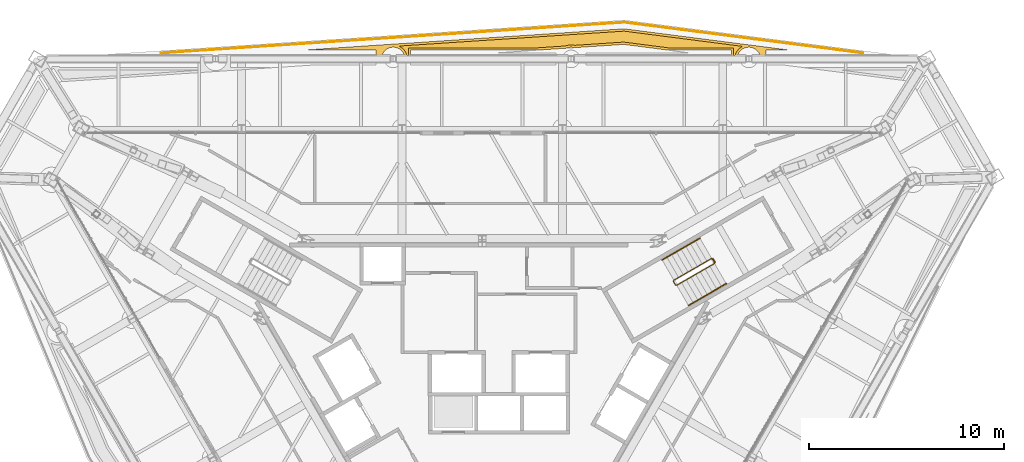
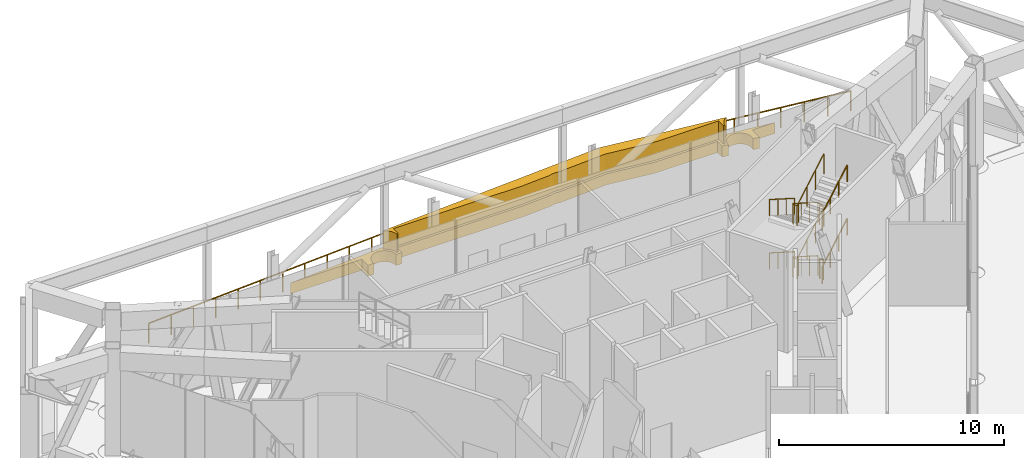
# One storey, part 23 of 25: 7 railings, 2 coverings.
"""IFC4 building model written with IfcOpenShell, lengths in metres."""

from ifc_helpers import new_model, si_unit, direction, frame, origin, origin_2d, place, context, subcontext, project, spatial, polyline, circle, outline, extrude, material, type_object, element, save


model = new_model("IFC4")

# Units and contexts
model_context = context("Model", 3, precision=1e-05, world=origin(), true_north=direction((0.0, 1.0)))
body_context = subcontext(model_context, "Body", "Model", "MODEL_VIEW")
ifc_project = project(units=[si_unit("LENGTHUNIT", "METRE"), si_unit("AREAUNIT", "SQUARE_METRE"), si_unit("VOLUMEUNIT", "CUBIC_METRE"), si_unit("PLANEANGLEUNIT", "RADIAN"), si_unit("MASSUNIT", "GRAM", prefix="KILO")], contexts=[model_context])

# Site, building, storey
site_placement = place(None, origin())
site = spatial("IfcSite", under=ifc_project, at=site_placement, CompositionType="ELEMENT")
building_placement = place(site_placement, origin())
building = spatial("IfcBuilding", under=site, at=building_placement, Name="Verrane Prism Tower", CompositionType="ELEMENT")
storey_placement = place(building_placement, frame((0.0, 0.0, 258.199951171875)))
storey = spatial("IfcBuildingStorey", under=building, at=storey_placement, Name="L65", CompositionType="ELEMENT", Elevation=258.199951171875)

# Coverings
ifc_material_1 = material(Name="Planting medium in stone kerb", Category="masonry")
covering_type_1 = type_object("IfcCoveringType", Name="Planter bed 600", PredefinedType="USERDEFINED", material=ifc_material_1)
covering_1_placement = place(storey_placement, origin())
element("IfcCovering", 1, at=covering_1_placement, inside=storey, type_object=covering_type_1, Name="Planter bed L65 5", ObjectType="PLANTER", PredefinedType="USERDEFINED", context=body_context, shape_type="SweptSolid", body=[
    extrude(outline(polyline([(-3.67236328125, 17.248779296875), (-3.67236328125, 17.679931640625), (2.82763671875, 17.679931640625), (4.32421875, 17.779296875), (4.339599609375, 17.78662109375), (4.39501953125, 17.806396484375), (4.452392578125, 17.82080078125), (4.510986328125, 17.82958984375), (4.570068359375, 17.83251953125), (4.62890625, 17.82958984375), (4.6875, 17.82080078125), (4.742431640625, 17.806884765625), (7.26904296875, 17.974609375), (9.55712890625, 17.679931640625), (12.802978515625, 17.679931640625), (12.802978515625, 17.261962890625), (13.097900390625, 17.22412109375), (13.09765625, 17.22998046875), (13.1005859375, 17.2890625), (13.109130859375, 17.347412109375), (13.12353515625, 17.40478515625), (13.1435546875, 17.46044921875), (13.168701171875, 17.513916015625), (13.19921875, 17.564697265625), (13.234375, 17.6123046875), (13.27392578125, 17.656005859375), (13.31787109375, 17.69580078125), (13.365234375, 17.73095703125), (13.416015625, 17.76123046875), (13.469482421875, 17.78662109375), (13.525146484375, 17.806396484375), (13.58251953125, 17.82080078125), (13.64111328125, 17.82958984375), (13.699951171875, 17.83251953125), (13.759033203125, 17.82958984375), (13.8173828125, 17.82080078125), (13.875, 17.806396484375), (13.930419921875, 17.78662109375), (13.98388671875, 17.76123046875), (14.03466796875, 17.73095703125), (14.082275390625, 17.69580078125), (14.1259765625, 17.656005859375), (14.165771484375, 17.6123046875), (14.200927734375, 17.564697265625), (14.231201171875, 17.513916015625), (14.256591796875, 17.46044921875), (14.276611328125, 17.40478515625), (14.290771484375, 17.347412109375), (14.299560546875, 17.2890625), (14.302490234375, 17.22998046875), (14.299560546875, 17.1708984375), (14.290771484375, 17.112548828125), (14.280517578125, 17.07177734375), (14.582275390625, 17.03271484375), (14.582275390625, 17.679931640625), (15.766845703125, 17.679931640625), (15.767333984375, 17.686767578125), (7.2939453125, 18.778076171875), (-9.131103515625, 17.688232421875), (-9.131103515625, 17.679931640625), (-5.467041015625, 17.679931640625), (-5.467041015625, 17.129638671875), (-5.166259765625, 17.149658203125), (-5.16943359375, 17.1708984375), (-5.17236328125, 17.22998046875), (-5.16943359375, 17.2890625), (-5.160888671875, 17.347412109375), (-5.146484375, 17.40478515625), (-5.12646484375, 17.46044921875), (-5.101318359375, 17.513916015625), (-5.07080078125, 17.564697265625), (-5.03564453125, 17.6123046875), (-4.99609375, 17.656005859375), (-4.9521484375, 17.69580078125), (-4.90478515625, 17.73095703125), (-4.85400390625, 17.76123046875), (-4.800537109375, 17.78662109375), (-4.744873046875, 17.806396484375), (-4.6875, 17.82080078125), (-4.62890625, 17.82958984375), (-4.570068359375, 17.83251953125), (-4.510986328125, 17.82958984375), (-4.452392578125, 17.82080078125), (-4.39501953125, 17.806396484375), (-4.339599609375, 17.78662109375), (-4.285888671875, 17.76123046875), (-4.2353515625, 17.73095703125), (-4.187744140625, 17.69580078125), (-4.14404296875, 17.656005859375), (-4.104248046875, 17.6123046875), (-4.069091796875, 17.564697265625), (-4.038818359375, 17.513916015625), (-4.013427734375, 17.46044921875), (-3.993408203125, 17.40478515625), (-3.979248046875, 17.347412109375), (-3.970458984375, 17.2890625), (-3.967529296875, 17.229248046875), (-3.67236328125, 17.248779296875)])), origin(), (0.0, 0.0, 1.0), 0.60009765625),
])
ifc_material_2 = material(Name="Planted shrubs and grasses", Category="other")
covering_type_2 = type_object("IfcCoveringType", Name="Planting mass 1000", PredefinedType="USERDEFINED", material=ifc_material_2)
covering_2_placement = place(storey_placement, frame((0.0, 0.0, 0.60009765625)))
element("IfcCovering", 2, at=covering_2_placement, inside=storey, type_object=covering_type_2, Name="Planting L65 5", ObjectType="PLANTING", PredefinedType="USERDEFINED", context=body_context, shape_type="SweptSolid", body=[
    extrude(outline(polyline([(-4.2294921875, 17.8671875), (-4.168701171875, 17.830810546875), (-4.111572265625, 17.78857421875), (-4.05908203125, 17.740966796875), (-4.011474609375, 17.6884765625), (-3.96923828125, 17.63134765625), (-3.932861328125, 17.570556640625), (-3.902587890625, 17.506591796875), (-3.878662109375, 17.439697265625), (-3.861328125, 17.37109375), (-3.859130859375, 17.356689453125), (-3.792236328125, 17.361083984375), (-3.792236328125, 17.800048828125), (2.823486328125, 17.800048828125), (4.29345703125, 17.8974609375), (4.29345703125, 17.8974609375), (4.3603515625, 17.92138671875), (4.428955078125, 17.938720703125), (4.499267578125, 17.94921875), (4.570068359375, 17.952392578125), (4.640869140625, 17.94921875), (4.7109375, 17.938720703125), (4.75341796875, 17.927978515625), (7.272705078125, 18.09521484375), (9.564697265625, 17.800048828125), (12.9228515625, 17.800048828125), (12.9228515625, 17.367431640625), (12.989501953125, 17.35888671875), (12.9912109375, 17.37109375), (13.008544921875, 17.439697265625), (13.032470703125, 17.506591796875), (13.062744140625, 17.570556640625), (13.09912109375, 17.63134765625), (13.1416015625, 17.6884765625), (13.189208984375, 17.740966796875), (13.24169921875, 17.78857421875), (13.298583984375, 17.830810546875), (13.359375, 17.8671875), (13.373779296875, 17.8740234375), (7.290283203125, 18.65771484375), (-4.277587890625, 17.89013671875), (-4.2294921875, 17.8671875)])), origin(), (0.0, 0.0, 1.0), 1.0),
])

# Railings
ifc_material_3 = material(Name="Steel A36 rail and posts, no infill", Category="steel")
railing_type_1 = type_object("IfcRailingType", Name="Stair guard 1100 steel rail and posts", PredefinedType="GUARDRAIL", material=ifc_material_3)
railing_1_placement = place(storey_placement, frame((11.78955078125, 6.97998046875, 0.1611328125)))
element("IfcRailing", 3, at=railing_1_placement, inside=storey, type_object=railing_type_1, Name="Stair 1 guard", PredefinedType="GUARDRAIL", context=body_context, shape_type="SweptSolid", body=[
    extrude(circle(Radius=0.02392578125, at=origin_2d()), frame((0.0, 0.0, 1.076171875), z_axis=(-0.750637111348, -0.433415940959, 0.498692840524), x_axis=(0.500030632641, -0.866007717299, 0.0)), (0.0, 0.0, 1.0), 2.58447265625),
    extrude(circle(Radius=0.02392578125, at=origin_2d()), frame((-1.93994140625, -1.1201171875, 2.36474609375), z_axis=(-0.258736085224, -0.965948051503, 0.0), x_axis=(0.965948051503, -0.258736085224, 0.0)), (0.0, 0.0, 1.0), 0.07080078125),
    extrude(circle(Radius=0.02392578125, at=origin_2d()), frame((-1.958251953125, -1.1884765625, 2.36474609375), z_axis=(0.500603037456, -0.865676959893, 0.0), x_axis=(0.865676959893, 0.500603037456, 0.0)), (0.0, 0.0, 1.0), 0.199951171875),
    extrude(circle(Radius=0.02392578125, at=origin_2d()), frame((-1.858154296875, -1.361572265625, 2.36474609375), z_axis=(0.388430221592, -0.104043809355, 0.915585522324), x_axis=(0.258736085224, 0.965948051503, 0.0)), (0.0, 0.0, 1.0), 0.176025390625),
    extrude(circle(Radius=0.02392578125, at=origin_2d()), frame((-1.789794921875, -1.3798828125, 2.52587890625), z_axis=(0.750560501279, 0.433426252973, 0.498799175173), x_axis=(-0.500077830873, 0.865980463445, 0.0)), (0.0, 0.0, 1.0), 2.584228515625),
    extrude(circle(Radius=0.02392578125, at=origin_2d()), frame((0.14990234375, -0.259765625, 3.81494140625), z_axis=(-0.3199613899, 0.947430582667, 0.0), x_axis=(-0.947430582667, -0.3199613899, 0.0)), (0.0, 0.0, 1.0), 0.2548828125),
    extrude(circle(Radius=0.02392578125, at=origin_2d()), frame((0.068359375, -0.018310546875, 3.81494140625), z_axis=(0.499158860599, -0.866510491504, 0.0), x_axis=(0.866510491504, 0.499158860599, 0.0)), (0.0, 0.0, 1.0), 0.199951171875),
    extrude(circle(Radius=0.02392578125, at=origin_2d()), frame((0.168212890625, -0.191650390625, 3.81494140625), z_axis=(-0.557653296868, 0.635352449988, 0.534181677697), x_axis=(-0.751567565678, -0.659656118156, 0.0)), (0.0, 0.0, 1.0), 0.3017578125),
    extrude(circle(Radius=0.02392578125, at=origin_2d()), frame((0.0, 0.0, 3.97607421875), z_axis=(-0.750637111348, -0.433415940959, 0.498692840524), x_axis=(0.500030632641, -0.866007717299, 0.0)), (0.0, 0.0, 1.0), 2.58447265625),
    extrude(circle(Radius=0.02392578125, at=origin_2d()), frame((-1.93994140625, -1.1201171875, 5.26513671875), z_axis=(-0.258736085224, -0.965948051503, 0.0), x_axis=(0.965948051503, -0.258736085224, 0.0)), (0.0, 0.0, 1.0), 0.07080078125),
    extrude(circle(Radius=0.02392578125, at=origin_2d()), frame((-1.958251953125, -1.1884765625, 5.26513671875), z_axis=(0.500603037456, -0.865676959893, 0.0), x_axis=(0.865676959893, 0.500603037456, 0.0)), (0.0, 0.0, 1.0), 0.199951171875),
    extrude(circle(Radius=0.02392578125, at=origin_2d()), frame((-1.858154296875, -1.361572265625, 5.26513671875), z_axis=(0.388430221592, -0.104043809355, 0.915585522324), x_axis=(0.258736085224, 0.965948051503, 0.0)), (0.0, 0.0, 1.0), 0.176025390625),
    extrude(circle(Radius=0.02392578125, at=origin_2d()), frame((-1.789794921875, -1.3798828125, 5.42626953125), z_axis=(0.750595867838, 0.433446676103, 0.498728204697), x_axis=(-0.500077830873, 0.865980463445, 0.0)), (0.0, 0.0, 1.0), 2.584228515625),
    extrude(circle(Radius=0.02099609375, at=origin_2d()), origin(), (0.0, 0.0, 1.0), 1.052001953125),
    extrude(circle(Radius=0.02099609375, at=origin_2d()), frame((-0.646728515625, -0.373291015625, 0.4296875)), (0.0, 0.0, 1.0), 1.052001953125),
    extrude(circle(Radius=0.02099609375, at=origin_2d()), frame((-1.293212890625, -0.746826171875, 0.859130859375)), (0.0, 0.0, 1.0), 1.052001953125),
    extrude(circle(Radius=0.02099609375, at=origin_2d()), frame((-1.93994140625, -1.1201171875, 1.288818359375)), (0.0, 0.0, 1.0), 1.052001953125),
    extrude(circle(Radius=0.02099609375, at=origin_2d()), frame((-1.958251953125, -1.1884765625, 1.288818359375)), (0.0, 0.0, 1.0), 1.052001953125),
    extrude(circle(Radius=0.02099609375, at=origin_2d()), frame((-1.858154296875, -1.361572265625, 1.288818359375)), (0.0, 0.0, 1.0), 1.052001953125),
    extrude(circle(Radius=0.02099609375, at=origin_2d()), frame((-1.789794921875, -1.3798828125, 1.449951171875)), (0.0, 0.0, 1.0), 1.052001953125),
    extrude(circle(Radius=0.02099609375, at=origin_2d()), frame((-1.143310546875, -1.006591796875, 1.879638671875)), (0.0, 0.0, 1.0), 1.052001953125),
    extrude(circle(Radius=0.02099609375, at=origin_2d()), frame((-0.49658203125, -0.633056640625, 2.309326171875)), (0.0, 0.0, 1.0), 1.052001953125),
    extrude(circle(Radius=0.02099609375, at=origin_2d()), frame((0.14990234375, -0.259765625, 2.739013671875)), (0.0, 0.0, 1.0), 1.052001953125),
    extrude(circle(Radius=0.02099609375, at=origin_2d()), frame((0.068359375, -0.018310546875, 2.739013671875)), (0.0, 0.0, 1.0), 1.052001953125),
    extrude(circle(Radius=0.02099609375, at=origin_2d()), frame((0.168212890625, -0.191650390625, 2.739013671875)), (0.0, 0.0, 1.0), 1.052001953125),
    extrude(circle(Radius=0.02099609375, at=origin_2d()), frame((0.0, 0.0, 2.900146484375)), (0.0, 0.0, 1.0), 1.052001953125),
    extrude(circle(Radius=0.02099609375, at=origin_2d()), frame((-0.646728515625, -0.373291015625, 3.329833984375)), (0.0, 0.0, 1.0), 1.052001953125),
    extrude(circle(Radius=0.02099609375, at=origin_2d()), frame((-1.293212890625, -0.746826171875, 3.75927734375)), (0.0, 0.0, 1.0), 1.052001953125),
    extrude(circle(Radius=0.02099609375, at=origin_2d()), frame((-1.93994140625, -1.1201171875, 4.18896484375)), (0.0, 0.0, 1.0), 1.052001953125),
    extrude(circle(Radius=0.02099609375, at=origin_2d()), frame((-1.958251953125, -1.1884765625, 4.18896484375)), (0.0, 0.0, 1.0), 1.052001953125),
    extrude(circle(Radius=0.02099609375, at=origin_2d()), frame((-1.858154296875, -1.361572265625, 4.18896484375)), (0.0, 0.0, 1.0), 1.052001953125),
    extrude(circle(Radius=0.02099609375, at=origin_2d()), frame((-1.789794921875, -1.3798828125, 4.35009765625)), (0.0, 0.0, 1.0), 1.052001953125),
    extrude(circle(Radius=0.02099609375, at=origin_2d()), frame((-1.143310546875, -1.006591796875, 4.77978515625)), (0.0, 0.0, 1.0), 1.052001953125),
    extrude(circle(Radius=0.02099609375, at=origin_2d()), frame((-0.49658203125, -0.633056640625, 5.209228515625)), (0.0, 0.0, 1.0), 1.052001953125),
    extrude(circle(Radius=0.02099609375, at=origin_2d()), frame((0.14990234375, -0.259765625, 5.638916015625)), (0.0, 0.0, 1.0), 1.052001953125),
])
railing_2_placement = place(storey_placement, frame((11.85791015625, 6.961669921875, 0.0)))
element("IfcRailing", 4, at=railing_2_placement, inside=storey, type_object=railing_type_1, Name="Stair 1 guard", PredefinedType="GUARDRAIL", context=body_context, shape_type="SweptSolid", body=[
    extrude(circle(Radius=0.02392578125, at=origin_2d()), frame((0.0, 0.0, 1.076171875), z_axis=(0.499158860599, -0.866510491504, 0.0), x_axis=(0.866510491504, 0.499158860599, 0.0)), (0.0, 0.0, 1.0), 0.199951171875),
    extrude(circle(Radius=0.02099609375, at=origin_2d()), origin(), (0.0, 0.0, 1.0), 1.052001953125),
    extrude(circle(Radius=0.02099609375, at=origin_2d()), frame((0.099853515625, -0.17333984375, 0.0)), (0.0, 0.0, 1.0), 1.052001953125),
])
ifc_material_4 = material(Name="Steel A36 tube", Category="steel")
railing_type_2 = type_object("IfcRailingType", Name="Stair handrail 900 steel tube", PredefinedType="HANDRAIL", material=ifc_material_4)
railing_3_placement = place(storey_placement, frame((11.189453125, 8.01904296875, 0.1611328125)))
element("IfcRailing", 5, at=railing_3_placement, inside=storey, type_object=railing_type_2, Name="Stair 1 handrail", PredefinedType="HANDRAIL", context=body_context, shape_type="SweptSolid", body=[
    extrude(circle(Radius=0.02392578125, at=origin_2d()), frame((0.0, 0.0, 0.8759765625), z_axis=(-0.750626602855, -0.433369946796, 0.498748626365), x_axis=(0.49999608499, -0.866027664105, 0.0)), (0.0, 0.0, 1.0), 2.583984375),
    extrude(circle(Radius=0.02099609375, at=origin_2d()), origin(), (0.0, 0.0, 1.0), 0.851806640625),
    extrude(circle(Radius=0.02099609375, at=origin_2d()), frame((-0.646484375, -0.373291015625, 0.4296875)), (0.0, 0.0, 1.0), 0.851806640625),
    extrude(circle(Radius=0.02099609375, at=origin_2d()), frame((-1.293212890625, -0.74658203125, 0.859130859375)), (0.0, 0.0, 1.0), 0.851806640625),
    extrude(circle(Radius=0.02099609375, at=origin_2d()), frame((-1.939697265625, -1.119873046875, 1.288818359375)), (0.0, 0.0, 1.0), 0.851806640625),
])
railing_4_placement = place(storey_placement, frame((10.599609375, 4.560791015625, 1.611083984375)))
element("IfcRailing", 6, at=railing_4_placement, inside=storey, type_object=railing_type_2, Name="Stair 1 handrail", PredefinedType="HANDRAIL", context=body_context, shape_type="SweptSolid", body=[
    extrude(circle(Radius=0.02392578125, at=origin_2d()), frame((0.0, 0.0, 0.8759765625), z_axis=(0.750601747861, 0.433395522173, 0.498763809301), x_axis=(-0.500030632641, 0.866007717299, 0.0)), (0.0, 0.0, 1.0), 2.58447265625),
    extrude(circle(Radius=0.02099609375, at=origin_2d()), origin(), (0.0, 0.0, 1.0), 0.851806640625),
    extrude(circle(Radius=0.02099609375, at=origin_2d()), frame((0.646728515625, 0.373291015625, 0.4296875)), (0.0, 0.0, 1.0), 0.851806640625),
    extrude(circle(Radius=0.02099609375, at=origin_2d()), frame((1.293212890625, 0.746826171875, 0.859375)), (0.0, 0.0, 1.0), 0.851806640625),
    extrude(circle(Radius=0.02099609375, at=origin_2d()), frame((1.93994140625, 1.1201171875, 1.2890625)), (0.0, 0.0, 1.0), 0.851806640625),
])
railing_5_placement = place(storey_placement, frame((11.189453125, 8.01904296875, 3.061279296875)))
element("IfcRailing", 7, at=railing_5_placement, inside=storey, type_object=railing_type_2, Name="Stair 1 handrail", PredefinedType="HANDRAIL", context=body_context, shape_type="SweptSolid", body=[
    extrude(circle(Radius=0.02392578125, at=origin_2d()), frame((0.0, 0.0, 0.8759765625), z_axis=(-0.750626602855, -0.433369946796, 0.498748626365), x_axis=(0.49999608499, -0.866027664105, 0.0)), (0.0, 0.0, 1.0), 2.583984375),
    extrude(circle(Radius=0.02099609375, at=origin_2d()), origin(), (0.0, 0.0, 1.0), 0.851806640625),
    extrude(circle(Radius=0.02099609375, at=origin_2d()), frame((-0.646484375, -0.373291015625, 0.4296875)), (0.0, 0.0, 1.0), 0.851806640625),
    extrude(circle(Radius=0.02099609375, at=origin_2d()), frame((-1.293212890625, -0.74658203125, 0.859130859375)), (0.0, 0.0, 1.0), 0.851806640625),
    extrude(circle(Radius=0.02099609375, at=origin_2d()), frame((-1.939697265625, -1.119873046875, 1.288818359375)), (0.0, 0.0, 1.0), 0.851806640625),
])
railing_6_placement = place(storey_placement, frame((10.599609375, 4.560791015625, 4.51123046875)))
element("IfcRailing", 8, at=railing_6_placement, inside=storey, type_object=railing_type_2, Name="Stair 1 handrail", PredefinedType="HANDRAIL", context=body_context, shape_type="SweptSolid", body=[
    extrude(circle(Radius=0.02392578125, at=origin_2d()), frame((0.0, 0.0, 0.8759765625), z_axis=(0.750637111348, 0.433415940959, 0.498692840524), x_axis=(-0.500030632641, 0.866007717299, 0.0)), (0.0, 0.0, 1.0), 2.58447265625),
    extrude(circle(Radius=0.02099609375, at=origin_2d()), origin(), (0.0, 0.0, 1.0), 0.851806640625),
    extrude(circle(Radius=0.02099609375, at=origin_2d()), frame((0.646728515625, 0.373291015625, 0.4296875)), (0.0, 0.0, 1.0), 0.851806640625),
    extrude(circle(Radius=0.02099609375, at=origin_2d()), frame((1.293212890625, 0.746826171875, 0.859130859375)), (0.0, 0.0, 1.0), 0.851806640625),
    extrude(circle(Radius=0.02099609375, at=origin_2d()), frame((1.93994140625, 1.1201171875, 1.288818359375)), (0.0, 0.0, 1.0), 0.851806640625),
])
ifc_material_5 = material(Name="Stainless steel and laminated glass", Category="steel")
railing_type_3 = type_object("IfcRailingType", Name="Terrace guard 1100", PredefinedType="GUARDRAIL", material=ifc_material_5)
railing_7_placement = place(storey_placement, frame((19.568359375, 17.530029296875, 0.0)))
element("IfcRailing", 9, at=railing_7_placement, inside=storey, type_object=railing_type_3, Name="Terrace guard L65 1", PredefinedType="GUARDRAIL", context=body_context, shape_type="SweptSolid", body=[
    extrude(circle(Radius=0.02392578125, at=origin_2d()), frame((0.0, 0.0, 1.076171875), z_axis=(-0.991807425439, 0.127742048067, 0.0), x_axis=(-0.127742048067, -0.991807425439, 0.0)), (0.0, 0.0, 1.0), 12.365478515625),
    extrude(circle(Radius=0.02392578125, at=origin_2d()), frame((-12.26416015625, 1.57958984375, 1.076171875), z_axis=(-0.997806071441, -0.066204560235, 0.0), x_axis=(0.066204560235, -0.997806071441, 0.0)), (0.0, 0.0, 1.0), 23.859130859375),
    extrude(circle(Radius=0.02099609375, at=origin_2d()), origin(), (0.0, 0.0, 1.0), 1.052001953125),
    extrude(circle(Radius=0.02099609375, at=origin_2d()), frame((-1.114990234375, 0.1435546875, 0.0)), (0.0, 0.0, 1.0), 1.052001953125),
    extrude(circle(Radius=0.02099609375, at=origin_2d()), frame((-2.229736328125, 0.287109375, 0.0)), (0.0, 0.0, 1.0), 1.052001953125),
    extrude(circle(Radius=0.02099609375, at=origin_2d()), frame((-3.3447265625, 0.430908203125, 0.0)), (0.0, 0.0, 1.0), 1.052001953125),
    extrude(circle(Radius=0.02099609375, at=origin_2d()), frame((-4.459716796875, 0.574462890625, 0.0)), (0.0, 0.0, 1.0), 1.052001953125),
    extrude(circle(Radius=0.02099609375, at=origin_2d()), frame((-5.57470703125, 0.718017578125, 0.0)), (0.0, 0.0, 1.0), 1.052001953125),
    extrude(circle(Radius=0.02099609375, at=origin_2d()), frame((-6.689453125, 0.861572265625, 0.0)), (0.0, 0.0, 1.0), 1.052001953125),
    extrude(circle(Radius=0.02099609375, at=origin_2d()), frame((-7.804443359375, 1.005126953125, 0.0)), (0.0, 0.0, 1.0), 1.052001953125),
    extrude(circle(Radius=0.02099609375, at=origin_2d()), frame((-8.91943359375, 1.148681640625, 0.0)), (0.0, 0.0, 1.0), 1.052001953125),
    extrude(circle(Radius=0.02099609375, at=origin_2d()), frame((-10.034423828125, 1.29248046875, 0.0)), (0.0, 0.0, 1.0), 1.052001953125),
    extrude(circle(Radius=0.02099609375, at=origin_2d()), frame((-11.149169921875, 1.43603515625, 0.0)), (0.0, 0.0, 1.0), 1.052001953125),
    extrude(circle(Radius=0.02099609375, at=origin_2d()), frame((-12.26416015625, 1.57958984375, 0.0)), (0.0, 0.0, 1.0), 1.052001953125),
    extrude(circle(Radius=0.02099609375, at=origin_2d()), frame((-13.45458984375, 1.50048828125, 0.0)), (0.0, 0.0, 1.0), 1.052001953125),
    extrude(circle(Radius=0.02099609375, at=origin_2d()), frame((-14.644775390625, 1.421630859375, 0.0)), (0.0, 0.0, 1.0), 1.052001953125),
    extrude(circle(Radius=0.02099609375, at=origin_2d()), frame((-15.835205078125, 1.3427734375, 0.0)), (0.0, 0.0, 1.0), 1.052001953125),
    extrude(circle(Radius=0.02099609375, at=origin_2d()), frame((-17.025634765625, 1.263671875, 0.0)), (0.0, 0.0, 1.0), 1.052001953125),
    extrude(circle(Radius=0.02099609375, at=origin_2d()), frame((-18.2158203125, 1.1845703125, 0.0)), (0.0, 0.0, 1.0), 1.052001953125),
    extrude(circle(Radius=0.02099609375, at=origin_2d()), frame((-19.40625, 1.105712890625, 0.0)), (0.0, 0.0, 1.0), 1.052001953125),
    extrude(circle(Radius=0.02099609375, at=origin_2d()), frame((-20.5966796875, 1.02685546875, 0.0)), (0.0, 0.0, 1.0), 1.052001953125),
    extrude(circle(Radius=0.02099609375, at=origin_2d()), frame((-21.786865234375, 0.94775390625, 0.0)), (0.0, 0.0, 1.0), 1.052001953125),
    extrude(circle(Radius=0.02099609375, at=origin_2d()), frame((-22.977294921875, 0.86865234375, 0.0)), (0.0, 0.0, 1.0), 1.052001953125),
    extrude(circle(Radius=0.02099609375, at=origin_2d()), frame((-24.16748046875, 0.789794921875, 0.0)), (0.0, 0.0, 1.0), 1.052001953125),
    extrude(circle(Radius=0.02099609375, at=origin_2d()), frame((-25.35791015625, 0.710693359375, 0.0)), (0.0, 0.0, 1.0), 1.052001953125),
    extrude(circle(Radius=0.02099609375, at=origin_2d()), frame((-26.54833984375, 0.6318359375, 0.0)), (0.0, 0.0, 1.0), 1.052001953125),
    extrude(circle(Radius=0.02099609375, at=origin_2d()), frame((-27.738525390625, 0.552734375, 0.0)), (0.0, 0.0, 1.0), 1.052001953125),
    extrude(circle(Radius=0.02099609375, at=origin_2d()), frame((-28.928955078125, 0.473876953125, 0.0)), (0.0, 0.0, 1.0), 1.052001953125),
    extrude(circle(Radius=0.02099609375, at=origin_2d()), frame((-30.119384765625, 0.39501953125, 0.0)), (0.0, 0.0, 1.0), 1.052001953125),
    extrude(circle(Radius=0.02099609375, at=origin_2d()), frame((-31.3095703125, 0.31591796875, 0.0)), (0.0, 0.0, 1.0), 1.052001953125),
    extrude(circle(Radius=0.02099609375, at=origin_2d()), frame((-32.5, 0.23681640625, 0.0)), (0.0, 0.0, 1.0), 1.052001953125),
    extrude(circle(Radius=0.02099609375, at=origin_2d()), frame((-33.6904296875, 0.157958984375, 0.0)), (0.0, 0.0, 1.0), 1.052001953125),
    extrude(circle(Radius=0.02099609375, at=origin_2d()), frame((-34.880615234375, 0.0791015625, 0.0)), (0.0, 0.0, 1.0), 1.052001953125),
    extrude(circle(Radius=0.02099609375, at=origin_2d()), frame((-36.071044921875, 0.0, 0.0)), (0.0, 0.0, 1.0), 1.052001953125),
])

save(model, "model.ifc")
